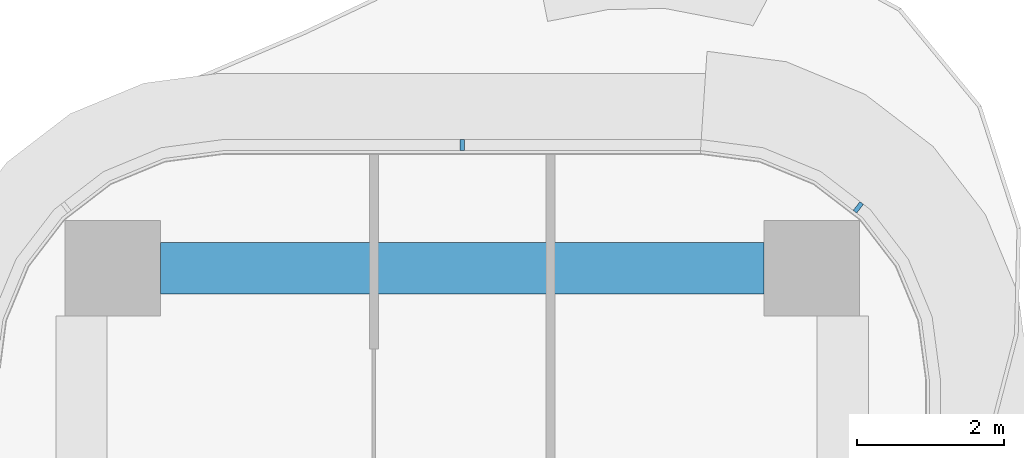
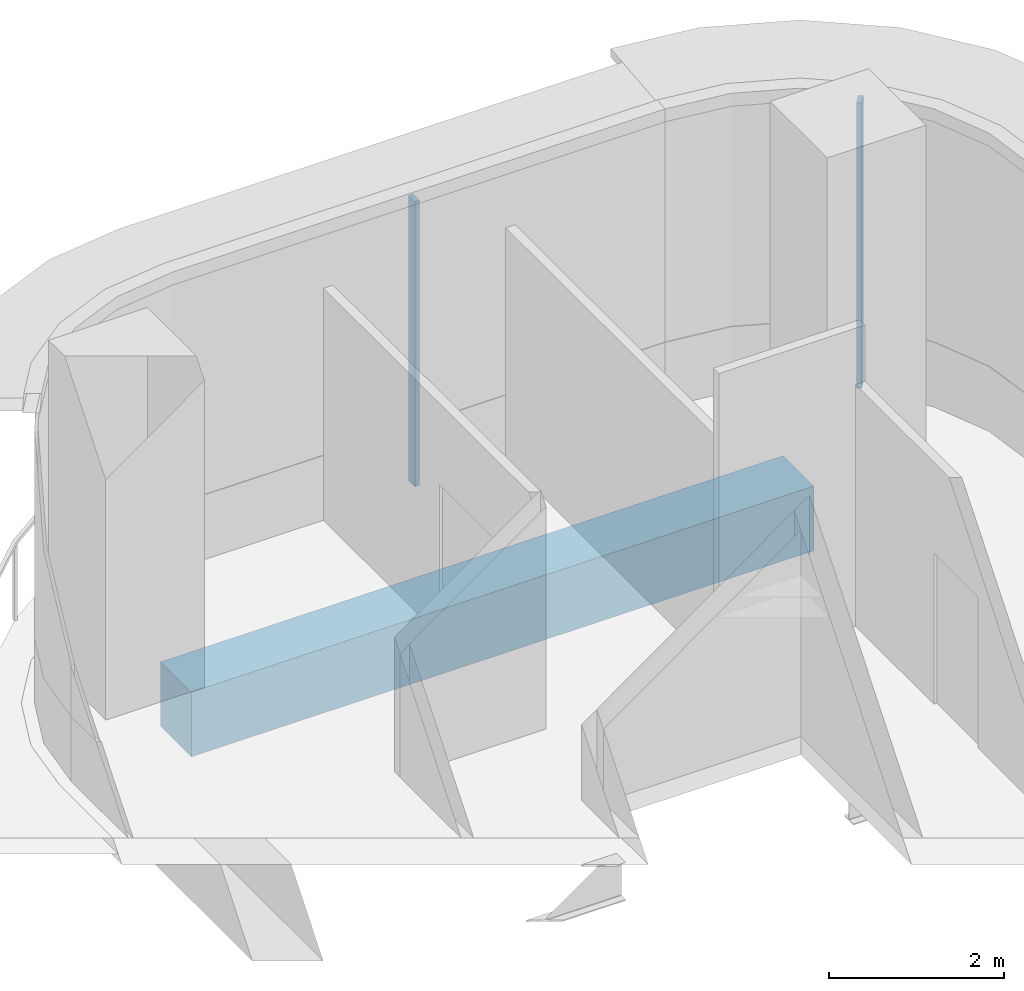
# One storey, part 11 of 20: 2 members, 1 beam, 2 elements without a shape of their own.
"""IFC4 building model written with IfcOpenShell, lengths in metres."""

from ifc_helpers import new_model, si_unit, direction, frame, origin, origin_2d, place, context, subcontext, project, spatial, rectangle, extrude, source, transform, mapped, material, layer, layer_set, material_profile, profile_set, type_object, element, aggregate, save


model = new_model("IFC4")

# Units and contexts
model_context = context("Model", 3, precision=1e-05, world=origin(), true_north=direction((0.0, 1.0)))
body_context = subcontext(model_context, "Body", "Model", "MODEL_VIEW")
ifc_project = project(units=[si_unit("LENGTHUNIT", "METRE"), si_unit("AREAUNIT", "SQUARE_METRE"), si_unit("VOLUMEUNIT", "CUBIC_METRE"), si_unit("PLANEANGLEUNIT", "RADIAN"), si_unit("MASSUNIT", "GRAM", prefix="KILO")], contexts=[model_context])

# Site, building, storey
site_placement = place(None, origin())
site = spatial("IfcSite", under=ifc_project, at=site_placement, CompositionType="ELEMENT")
building_placement = place(site_placement, origin())
building = spatial("IfcBuilding", under=site, at=building_placement, Name="Trellis Farm Tower", CompositionType="ELEMENT")
storey_placement = place(building_placement, frame((0.0, 0.0, 151.5)))
storey = spatial("IfcBuildingStorey", under=building, at=storey_placement, Name="L32", CompositionType="ELEMENT", Elevation=151.5)

# Beam
ifc_material_1 = material(Name="Concrete C60/75", Category="concrete")
ifc_material_profile_1 = material_profile(ifc_material_1, rectangle(XDim=0.699951171875, YDim=0.89990234375, at=origin_2d()), Name="RC spandrel beam 700x900 C60/75")
ifc_profile_set_1 = profile_set([ifc_material_profile_1], Name="Concrete C60/75")
beam_type = type_object("IfcBeamType", Name="RC spandrel beam 700x900 C60/75", PredefinedType="SPANDREL", material=ifc_profile_set_1)
shared_shape_1 = source(origin(), body_context, "Body", "SweptSolid", [
    extrude(rectangle(XDim=0.699951171875, YDim=0.89990234375, at=origin_2d()), origin(), (0.0, 0.0, 1.0), 8.2001953125),
])
beam_placement = place(storey_placement, frame((-4.10009765625, 24.25, -0.699951171875), z_axis=(1.0, 0.0, 0.0), x_axis=(0.0, 1.0, 0.0)))
element("IfcBeam", 1, at=beam_placement, inside=storey, type_object=beam_type, Name="Girder", PredefinedType="SPANDREL", context=body_context, shape_type="MappedRepresentation", body=[
    mapped(shared_shape_1, transform((0.0, 0.0, 0.0))),
])

# Curtain wall, member
ifc_material_2 = material(Name="Aluminium and glass curtain wall", Category="aluminium")
ifc_layer = layer(ifc_material_2, 0.18994140625)
ifc_layer_set = layer_set([ifc_layer], Name="RIBBON CURTAIN WALL CW1")
curtain_wall_type = type_object("IfcCurtainWallType", Name="RIBBON CURTAIN WALL CW1", PredefinedType="NOTDEFINED", material=ifc_layer_set)
placement = place(storey_placement, origin())
curtain_wall_1 = element("IfcCurtainWall", 2, at=placement, inside=storey, type_object=curtain_wall_type, Name="CW1 010", PredefinedType="NOTDEFINED")
ifc_material_3 = material(Name="Aluminium extrusion 6063-T6", Category="aluminium")
ifc_material_profile_2 = material_profile(ifc_material_3, rectangle(XDim=0.06005859375, YDim=0.14990234375, at=origin_2d()), Name="MULLION 60x150")
ifc_profile_set_2 = profile_set([ifc_material_profile_2], Name="Aluminium extrusion 6063-T6")
member_type = type_object("IfcMemberType", Name="CW1 MULLION 60x150", PredefinedType="MULLION", material=ifc_profile_set_2)
shared_shape_2 = source(origin(), body_context, "Body", "SweptSolid", [
    extrude(rectangle(XDim=0.06005859375, YDim=0.14990234375, at=origin_2d()), origin(), (0.0, 0.0, 1.0), 3.969970703125),
])
member_1_placement = place(storey_placement, frame((5.385498046875, 25.078369140625, 0.0), z_axis=(0.0, 0.0, 1.0), x_axis=(-0.793353340291, 0.608761429009, 0.0)))
member_1 = element("IfcMember", 3, at=member_1_placement, type_object=member_type, Name="MU1 010-03", PredefinedType="MULLION", context=body_context, shape_type="MappedRepresentation", body=[
    mapped(shared_shape_2, transform((0.0, 0.0, 0.0))),
])
aggregate(curtain_wall_1, [member_1])

curtain_wall_2 = element("IfcCurtainWall", 4, at=placement, inside=storey, type_object=curtain_wall_type, Name="CW1 011", PredefinedType="NOTDEFINED")
member_2_placement = place(storey_placement, frame((0.0, 25.925048828125, 0.0), z_axis=(0.0, 0.0, 1.0), x_axis=(-1.0, 0.0, 0.0)))
member_2 = element("IfcMember", 5, at=member_2_placement, type_object=member_type, Name="MU1 011-01", PredefinedType="MULLION", context=body_context, shape_type="MappedRepresentation", body=[
    mapped(shared_shape_2, transform((0.0, 0.0, 0.0))),
])
aggregate(curtain_wall_2, [member_2])

save(model, "model.ifc")
